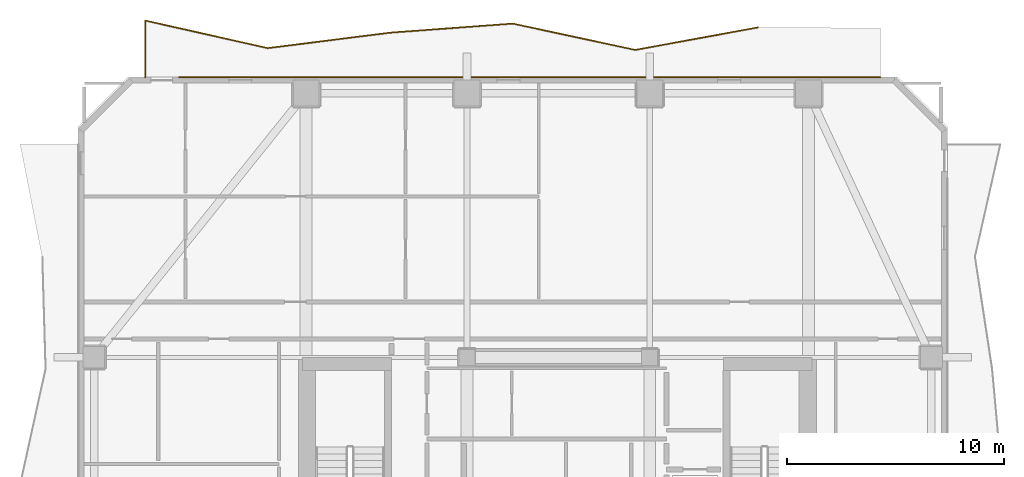
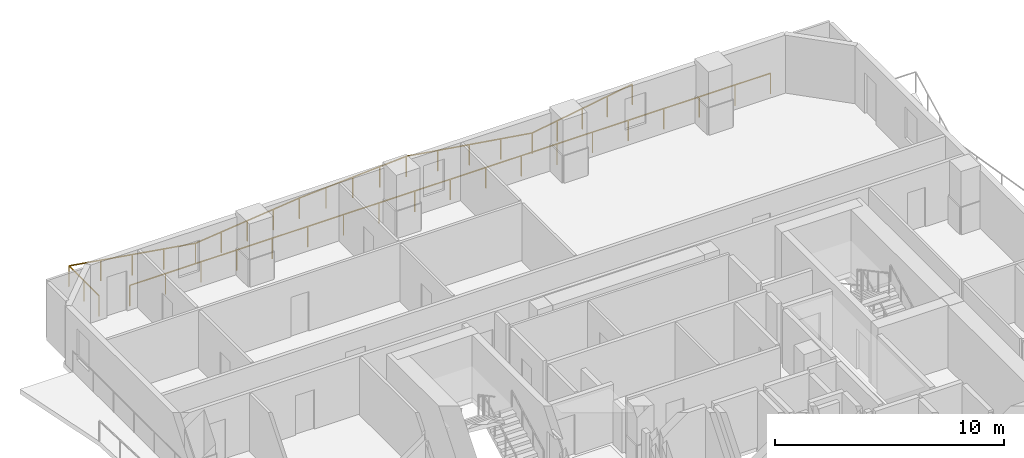
# One storey, part 10 of 10: 2 railings.
"""IFC4 building model written with IfcOpenShell, lengths in metres."""

from ifc_helpers import new_model, si_unit, direction, frame, origin, origin_2d, place, context, subcontext, project, spatial, rectangle, extrude, material, type_object, element, save


model = new_model("IFC4")

# Units and contexts
model_context = context("Model", 3, precision=1e-05, world=origin(), true_north=direction((0.0, 1.0)))
body_context = subcontext(model_context, "Body", "Model", "MODEL_VIEW")
ifc_project = project(units=[si_unit("LENGTHUNIT", "METRE"), si_unit("AREAUNIT", "SQUARE_METRE"), si_unit("VOLUMEUNIT", "CUBIC_METRE"), si_unit("PLANEANGLEUNIT", "RADIAN"), si_unit("MASSUNIT", "GRAM", prefix="KILO")], contexts=[model_context])

# Site, building, storey
site_placement = place(None, origin())
site = spatial("IfcSite", under=ifc_project, at=site_placement, CompositionType="ELEMENT")
building_placement = place(site_placement, origin())
building = spatial("IfcBuilding", under=site, at=building_placement, Name="Solanera Arch Residences", CompositionType="ELEMENT")
storey_placement = place(building_placement, frame((0.0, 0.0, 183.52001953125)))
storey = spatial("IfcBuildingStorey", under=building, at=storey_placement, Name="L53", CompositionType="ELEMENT", Elevation=183.52001953125)

# Railings
ifc_material = material(Name="Steel S355 (ASTM A992 / A572 Grade 50)", Category="steel")
railing_type = type_object("IfcRailingType", Name="Balustrade Railing BL-1100", PredefinedType="BALUSTRADE", material=ifc_material)
railing_1_placement = place(storey_placement, frame((34.1669921875, 54.571044921875, 0.0)))
element("IfcRailing", 1, at=railing_1_placement, inside=storey, type_object=railing_type, Name="L53 N Balcony Balustrade 1", PredefinedType="BALUSTRADE", context=body_context, shape_type="SweptSolid", body=[
    extrude(rectangle(XDim=0.048095703125, YDim=0.048095703125, at=origin_2d()), frame((0.0, 0.0, 1.09619140625), z_axis=(-0.983635148134, -0.180171849511, 0.0), x_axis=(0.180171849511, -0.983635148134, 0.0)), (0.0, 0.0, 1.0), 5.727783203125),
    extrude(rectangle(XDim=0.048095703125, YDim=0.048095703125, at=origin_2d()), frame((-5.634033203125, -1.031982421875, 1.09619140625), z_axis=(-0.977699979297, 0.210006548667, 0.0), x_axis=(-0.210006548667, -0.977699979297, 0.0)), (0.0, 0.0, 1.0), 5.761474609375),
    extrude(rectangle(XDim=0.048095703125, YDim=0.048095703125, at=origin_2d()), frame((-11.26708984375, 0.177978515625, 1.09619140625), z_axis=(-0.997283770729, -0.073655146729, 0.0), x_axis=(0.073655146729, -0.997283770729, 0.0)), (0.0, 0.0, 1.0), 5.648193359375),
    extrude(rectangle(XDim=0.048095703125, YDim=0.048095703125, at=origin_2d()), frame((-16.89990234375, -0.238037109375, 1.09619140625), z_axis=(-0.99211097524, -0.125362724956, 0.0), x_axis=(0.125362724956, -0.99211097524, 0.0)), (0.0, 0.0, 1.0), 5.678955078125),
    extrude(rectangle(XDim=0.048095703125, YDim=0.048095703125, at=origin_2d()), frame((-22.533935546875, -0.949951171875, 1.09619140625), z_axis=(-0.975595492018, 0.219575581418, 0.0), x_axis=(-0.219575581418, -0.975595492018, 0.0)), (0.0, 0.0, 1.0), 5.77392578125),
    extrude(rectangle(XDim=0.048095703125, YDim=0.048095703125, at=origin_2d()), frame((-28.1669921875, 0.31787109375, 1.09619140625), z_axis=(0.0, -1.0, 0.0), x_axis=(1.0, 0.0, 0.0)), (0.0, 0.0, 1.0), 2.60888671875),
    extrude(rectangle(XDim=0.0419921875, YDim=0.0419921875, at=origin_2d()), origin(), (0.0, 0.0, 1.0), 1.072021484375),
    extrude(rectangle(XDim=0.0419921875, YDim=0.0419921875, at=origin_2d()), frame((-1.408447265625, -0.258056640625, 0.0)), (0.0, 0.0, 1.0), 1.072021484375),
    extrude(rectangle(XDim=0.0419921875, YDim=0.0419921875, at=origin_2d()), frame((-2.81689453125, -0.51611328125, 0.0)), (0.0, 0.0, 1.0), 1.072021484375),
    extrude(rectangle(XDim=0.0419921875, YDim=0.0419921875, at=origin_2d()), frame((-4.2255859375, -0.77392578125, 0.0)), (0.0, 0.0, 1.0), 1.072021484375),
    extrude(rectangle(XDim=0.0419921875, YDim=0.0419921875, at=origin_2d()), frame((-5.634033203125, -1.031982421875, 0.0)), (0.0, 0.0, 1.0), 1.072021484375),
    extrude(rectangle(XDim=0.0419921875, YDim=0.0419921875, at=origin_2d()), frame((-7.042236328125, -0.7294921875, 0.0)), (0.0, 0.0, 1.0), 1.072021484375),
    extrude(rectangle(XDim=0.0419921875, YDim=0.0419921875, at=origin_2d()), frame((-8.45068359375, -0.427001953125, 0.0)), (0.0, 0.0, 1.0), 1.072021484375),
    extrude(rectangle(XDim=0.0419921875, YDim=0.0419921875, at=origin_2d()), frame((-9.85888671875, -0.12451171875, 0.0)), (0.0, 0.0, 1.0), 1.072021484375),
    extrude(rectangle(XDim=0.0419921875, YDim=0.0419921875, at=origin_2d()), frame((-11.26708984375, 0.177978515625, 0.0)), (0.0, 0.0, 1.0), 1.072021484375),
    extrude(rectangle(XDim=0.0419921875, YDim=0.0419921875, at=origin_2d()), frame((-12.67529296875, 0.073974609375, 0.0)), (0.0, 0.0, 1.0), 1.072021484375),
    extrude(rectangle(XDim=0.0419921875, YDim=0.0419921875, at=origin_2d()), frame((-14.08349609375, -0.030029296875, 0.0)), (0.0, 0.0, 1.0), 1.072021484375),
    extrude(rectangle(XDim=0.0419921875, YDim=0.0419921875, at=origin_2d()), frame((-15.49169921875, -0.134033203125, 0.0)), (0.0, 0.0, 1.0), 1.072021484375),
    extrude(rectangle(XDim=0.0419921875, YDim=0.0419921875, at=origin_2d()), frame((-16.89990234375, -0.238037109375, 0.0)), (0.0, 0.0, 1.0), 1.072021484375),
    extrude(rectangle(XDim=0.0419921875, YDim=0.0419921875, at=origin_2d()), frame((-18.308349609375, -0.416015625, 0.0)), (0.0, 0.0, 1.0), 1.072021484375),
    extrude(rectangle(XDim=0.0419921875, YDim=0.0419921875, at=origin_2d()), frame((-19.716796875, -0.593994140625, 0.0)), (0.0, 0.0, 1.0), 1.072021484375),
    extrude(rectangle(XDim=0.0419921875, YDim=0.0419921875, at=origin_2d()), frame((-21.12548828125, -0.77197265625, 0.0)), (0.0, 0.0, 1.0), 1.072021484375),
    extrude(rectangle(XDim=0.0419921875, YDim=0.0419921875, at=origin_2d()), frame((-22.533935546875, -0.949951171875, 0.0)), (0.0, 0.0, 1.0), 1.072021484375),
    extrude(rectangle(XDim=0.0419921875, YDim=0.0419921875, at=origin_2d()), frame((-23.942138671875, -0.633056640625, 0.0)), (0.0, 0.0, 1.0), 1.072021484375),
    extrude(rectangle(XDim=0.0419921875, YDim=0.0419921875, at=origin_2d()), frame((-25.3505859375, -0.31591796875, 0.0)), (0.0, 0.0, 1.0), 1.072021484375),
    extrude(rectangle(XDim=0.0419921875, YDim=0.0419921875, at=origin_2d()), frame((-26.7587890625, 0.0009765625, 0.0)), (0.0, 0.0, 1.0), 1.072021484375),
    extrude(rectangle(XDim=0.0419921875, YDim=0.0419921875, at=origin_2d()), frame((-28.1669921875, 0.31787109375, 0.0)), (0.0, 0.0, 1.0), 1.072021484375),
    extrude(rectangle(XDim=0.0419921875, YDim=0.0419921875, at=origin_2d()), frame((-28.1669921875, -0.986572265625, 0.0)), (0.0, 0.0, 1.0), 1.072021484375),
    extrude(rectangle(XDim=0.0419921875, YDim=0.0419921875, at=origin_2d()), frame((-28.1669921875, -2.291015625, 0.0)), (0.0, 0.0, 1.0), 1.072021484375),
])
railing_2_placement = place(storey_placement, frame((7.55908203125, 52.280029296875, 0.0)))
element("IfcRailing", 2, at=railing_2_placement, inside=storey, type_object=railing_type, Name="L53 N Balcony Balustrade 2", PredefinedType="BALUSTRADE", context=body_context, shape_type="SweptSolid", body=[
    extrude(rectangle(XDim=0.048095703125, YDim=0.048095703125, at=origin_2d()), frame((0.0, 0.0, 1.09619140625), z_axis=(1.0, 0.0, 0.0), x_axis=(0.0, 1.0, 0.0)), (0.0, 0.0, 1.0), 32.240966796875),
    extrude(rectangle(XDim=0.0419921875, YDim=0.0419921875, at=origin_2d()), origin(), (0.0, 0.0, 1.0), 1.072021484375),
    extrude(rectangle(XDim=0.0419921875, YDim=0.0419921875, at=origin_2d()), frame((1.791259765625, 0.0, 0.0)), (0.0, 0.0, 1.0), 1.072021484375),
    extrude(rectangle(XDim=0.0419921875, YDim=0.0419921875, at=origin_2d()), frame((3.582275390625, 0.0, 0.0)), (0.0, 0.0, 1.0), 1.072021484375),
    extrude(rectangle(XDim=0.0419921875, YDim=0.0419921875, at=origin_2d()), frame((5.37353515625, 0.0, 0.0)), (0.0, 0.0, 1.0), 1.072021484375),
    extrude(rectangle(XDim=0.0419921875, YDim=0.0419921875, at=origin_2d()), frame((7.16455078125, 0.0, 0.0)), (0.0, 0.0, 1.0), 1.072021484375),
    extrude(rectangle(XDim=0.0419921875, YDim=0.0419921875, at=origin_2d()), frame((8.955810546875, 0.0, 0.0)), (0.0, 0.0, 1.0), 1.072021484375),
    extrude(rectangle(XDim=0.0419921875, YDim=0.0419921875, at=origin_2d()), frame((10.7470703125, 0.0, 0.0)), (0.0, 0.0, 1.0), 1.072021484375),
    extrude(rectangle(XDim=0.0419921875, YDim=0.0419921875, at=origin_2d()), frame((12.5380859375, 0.0, 0.0)), (0.0, 0.0, 1.0), 1.072021484375),
    extrude(rectangle(XDim=0.0419921875, YDim=0.0419921875, at=origin_2d()), frame((14.329345703125, 0.0, 0.0)), (0.0, 0.0, 1.0), 1.072021484375),
    extrude(rectangle(XDim=0.0419921875, YDim=0.0419921875, at=origin_2d()), frame((16.12060546875, 0.0, 0.0)), (0.0, 0.0, 1.0), 1.072021484375),
    extrude(rectangle(XDim=0.0419921875, YDim=0.0419921875, at=origin_2d()), frame((17.91162109375, 0.0, 0.0)), (0.0, 0.0, 1.0), 1.072021484375),
    extrude(rectangle(XDim=0.0419921875, YDim=0.0419921875, at=origin_2d()), frame((19.702880859375, 0.0, 0.0)), (0.0, 0.0, 1.0), 1.072021484375),
    extrude(rectangle(XDim=0.0419921875, YDim=0.0419921875, at=origin_2d()), frame((21.493896484375, 0.0, 0.0)), (0.0, 0.0, 1.0), 1.072021484375),
    extrude(rectangle(XDim=0.0419921875, YDim=0.0419921875, at=origin_2d()), frame((23.28515625, 0.0, 0.0)), (0.0, 0.0, 1.0), 1.072021484375),
    extrude(rectangle(XDim=0.0419921875, YDim=0.0419921875, at=origin_2d()), frame((25.076416015625, 0.0, 0.0)), (0.0, 0.0, 1.0), 1.072021484375),
    extrude(rectangle(XDim=0.0419921875, YDim=0.0419921875, at=origin_2d()), frame((26.867431640625, 0.0, 0.0)), (0.0, 0.0, 1.0), 1.072021484375),
    extrude(rectangle(XDim=0.0419921875, YDim=0.0419921875, at=origin_2d()), frame((28.65869140625, 0.0, 0.0)), (0.0, 0.0, 1.0), 1.072021484375),
    extrude(rectangle(XDim=0.0419921875, YDim=0.0419921875, at=origin_2d()), frame((30.44970703125, 0.0, 0.0)), (0.0, 0.0, 1.0), 1.072021484375),
    extrude(rectangle(XDim=0.0419921875, YDim=0.0419921875, at=origin_2d()), frame((32.240966796875, 0.0, 0.0)), (0.0, 0.0, 1.0), 1.072021484375),
])

save(model, "model.ifc")
